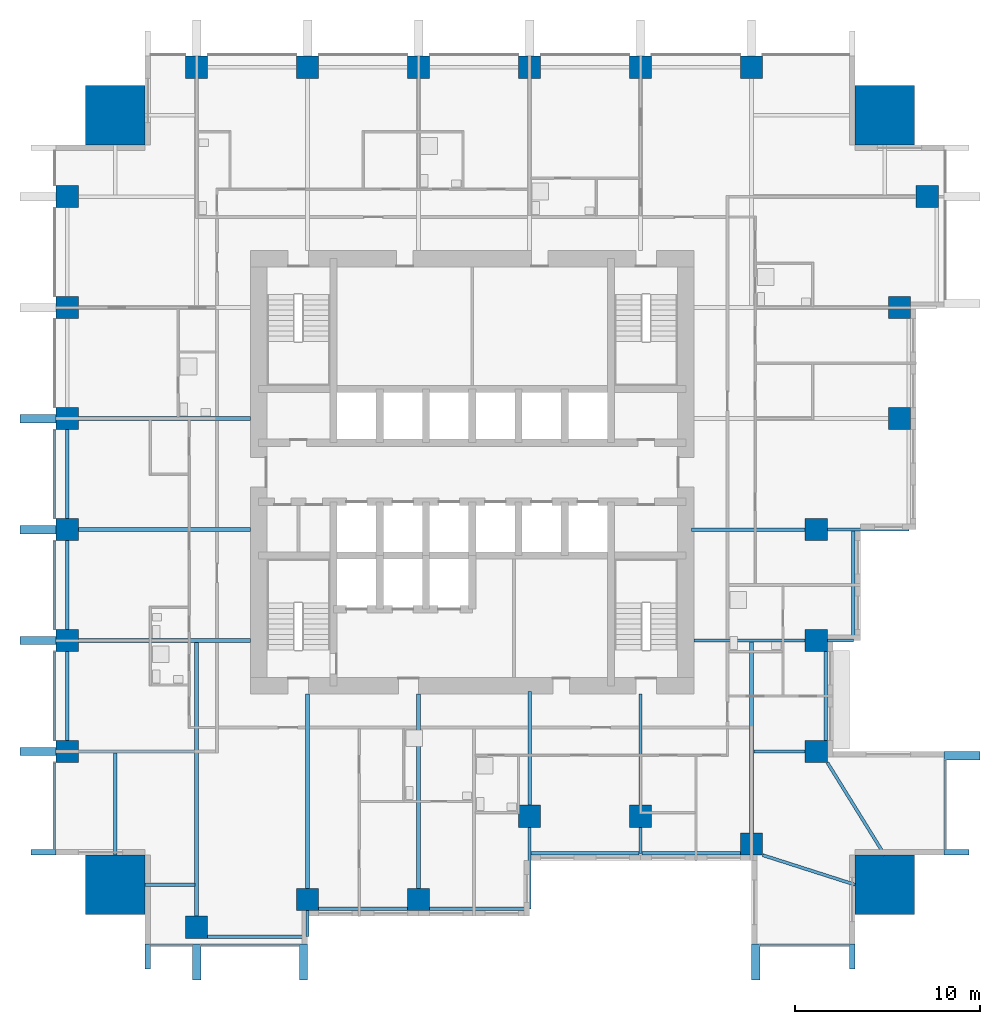
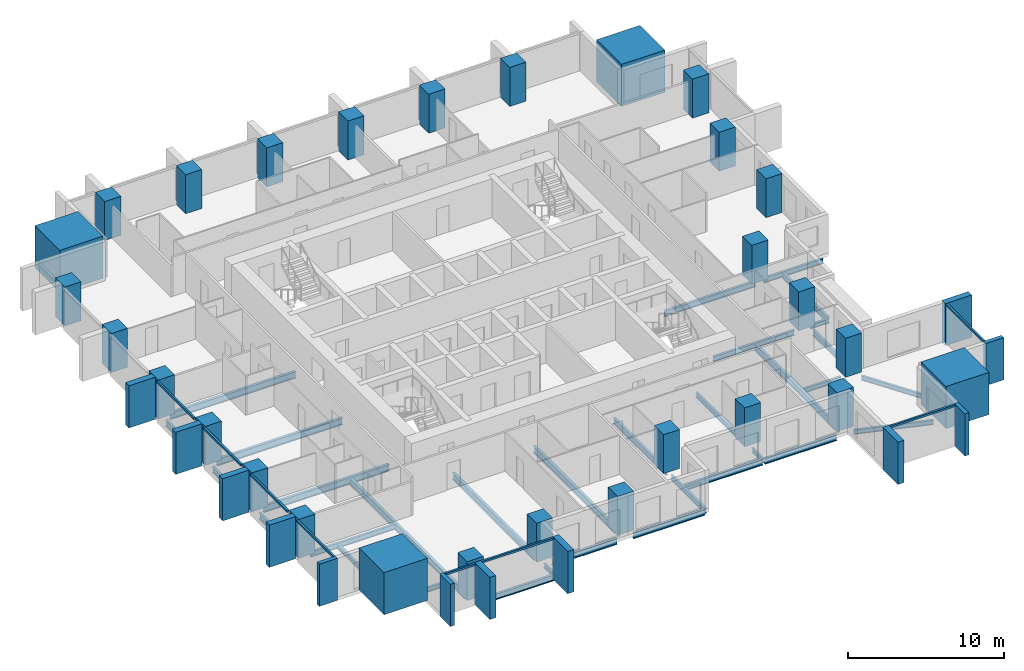
# One storey, part 1 of 10: 32 beams, 28 columns, 20 members, 4 elements without a shape of their own.
"""IFC4 building model written with IfcOpenShell, lengths in metres."""

from ifc_helpers import new_model, si_unit, direction, frame, origin, origin_2d, place, context, subcontext, project, spatial, rectangle, i_section, extrude, material, material_profile, profile_set, type_object, element, aggregate, save


model = new_model("IFC4")

# Units and contexts
model_context = context("Model", 3, precision=1e-05, world=origin(), true_north=direction((0.0, 1.0)))
body_context = subcontext(model_context, "Body", "Model", "MODEL_VIEW")
ifc_project = project(units=[si_unit("LENGTHUNIT", "METRE"), si_unit("AREAUNIT", "SQUARE_METRE"), si_unit("VOLUMEUNIT", "CUBIC_METRE"), si_unit("PLANEANGLEUNIT", "RADIAN"), si_unit("MASSUNIT", "GRAM", prefix="KILO")], contexts=[model_context])

# Site, building, storey
site_placement = place(None, origin())
site = spatial("IfcSite", under=ifc_project, at=site_placement, CompositionType="ELEMENT")
building_placement = place(site_placement, origin())
building = spatial("IfcBuilding", under=site, at=building_placement, Name="Amberfall Residences", CompositionType="ELEMENT")
storey_placement = place(building_placement, frame((0.0, 0.0, 36.699951171875)))
storey = spatial("IfcBuildingStorey", under=building, at=storey_placement, Name="L09", CompositionType="ELEMENT", Elevation=36.699951171875)

# Columns
ifc_material_1 = material(Name="Concrete C80", Category="concrete")
ifc_material_profile_1 = material_profile(ifc_material_1, rectangle(XDim=1.199951171875, YDim=1.199951171875, at=origin_2d()), Name="Column 1200 x 1200 C80")
ifc_profile_set_1 = profile_set([ifc_material_profile_1], Name="Concrete C80")
column_type_1 = type_object("IfcColumnType", Name="Column 1200 x 1200 C80", PredefinedType="COLUMN", material=ifc_profile_set_1)
for number, where, z_axis, x_axis, name in (
    (1, (59.60009765625, 20.89990234375, 0.0), (0.0, 0.0, 1.0), (1.0, 0.0, 0.0), "Column C1 L09 S1"),
    (2, (65.60009765625, 22.39990234375, 0.0), (0.0, 0.0, 1.0), (1.0, 0.0, 0.0), "Column C1 L09 S2"),
    (3, (71.60009765625, 22.39990234375, 0.0), (0.0, 0.0, 1.0), (1.0, 0.0, 0.0), "Column C1 L09 S3"),
    (4, (77.60009765625, 26.89990234375, 0.0), (0.0, 0.0, 1.0), (1.0, 0.0, 0.0), "Column C1 L09 S4"),
    (5, (83.60009765625, 26.89990234375, 0.0), (0.0, 0.0, 1.0), (1.0, 0.0, 0.0), "Column C1 L09 S5"),
    (6, (89.60009765625, 25.39990234375, 0.0), (0.0, 0.0, 1.0), (1.0, 0.0, 0.0), "Column C1 L09 S6"),
    (7, (93.10009765625, 30.39990234375, 0.0), (0.0, 0.0, 1.0), (1.0, 0.0, 0.0), "Column C1 L09 E1"),
    (8, (93.10009765625, 36.39990234375, 0.0), (0.0, 0.0, 1.0), (1.0, 0.0, 0.0), "Column C1 L09 E2"),
    (9, (93.10009765625, 42.39990234375, 0.0), (0.0, 0.0, 1.0), (1.0, 0.0, 0.0), "Column C1 L09 E3"),
    (10, (97.60009765625, 48.39990234375, 0.0), (0.0, 0.0, 1.0), (1.0, 0.0, 0.0), "Column C1 L09 E4"),
    (11, (97.60009765625, 54.39990234375, 0.0), (0.0, 0.0, 1.0), (1.0, 0.0, 0.0), "Column C1 L09 E5"),
    (12, (99.10009765625, 60.39990234375, 0.0), (0.0, 0.0, 1.0), (1.0, 0.0, 0.0), "Column C1 L09 E6"),
    (13, (59.60009765625, 67.39990234375, 0.0), (0.0, 0.0, 1.0), (1.0, 0.0, 0.0), "Column C1 L09 N1"),
    (14, (65.60009765625, 67.39990234375, 0.0), (0.0, 0.0, 1.0), (1.0, 0.0, 0.0), "Column C1 L09 N2"),
    (15, (71.60009765625, 67.39990234375, 0.0), (0.0, 0.0, 1.0), (1.0, 0.0, 0.0), "Column C1 L09 N3"),
    (16, (77.60009765625, 67.39990234375, 0.0), (0.0, 0.0, 1.0), (1.0, 0.0, 0.0), "Column C1 L09 N4"),
    (17, (83.60009765625, 67.39990234375, 0.0), (0.0, 0.0, 1.0), (1.0, 0.0, 0.0), "Column C1 L09 N5"),
    (18, (89.60009765625, 67.39990234375, 0.0), (0.0, 0.0, 1.0), (1.0, 0.0, 0.0), "Column C1 L09 N6"),
    (19, (52.60009765625, 30.39990234375, 0.0), (0.0, 0.0, 1.0), (1.0, 0.0, 0.0), "Column C1 L09 W1"),
    (20, (52.60009765625, 36.39990234375, 0.0), (0.0, 0.0, 1.0), (1.0, 0.0, 0.0), "Column C1 L09 W2"),
    (21, (52.60009765625, 42.39990234375, 0.0), (0.0, 0.0, 1.0), (1.0, 0.0, 0.0), "Column C1 L09 W3"),
    (22, (52.60009765625, 48.39990234375, 0.0), (0.0, 0.0, 1.0), (1.0, 0.0, 0.0), "Column C1 L09 W4"),
    (23, (52.60009765625, 54.39990234375, 0.0), (0.0, 0.0, 1.0), (1.0, 0.0, 0.0), "Column C1 L09 W5"),
    (24, (52.60009765625, 60.39990234375, 0.0), (0.0, 0.0, 1.0), (1.0, 0.0, 0.0), "Column C1 L09 W6"),
):
    element("IfcColumn", number, at=place(storey_placement, frame(where, z_axis=z_axis, x_axis=x_axis)), inside=storey, type_object=column_type_1, Name=name, PredefinedType="COLUMN", context=body_context, shape_type="SweptSolid", body=[
        extrude(rectangle(XDim=1.199951171875, YDim=1.199951171875, at=origin_2d()), origin(), (0.0, 0.0, 1.0), 3.050048828125),
    ])
ifc_material_profile_2 = material_profile(ifc_material_1, rectangle(XDim=3.199951171875, YDim=3.199951171875, at=origin_2d()), Name="Mega column 3200 x 3200 C80")
ifc_profile_set_2 = profile_set([ifc_material_profile_2], Name="Concrete C80")
column_type_2 = type_object("IfcColumnType", Name="Mega column 3200 x 3200 C80", PredefinedType="COLUMN", material=ifc_profile_set_2)
for number, where, z_axis, x_axis, name in (
    (25, (55.199951171875, 23.199951171875, 0.0), (0.0, 0.0, 1.0), (1.0, 0.0, 0.0), "Mega column MC1 L09 SW"),
    (26, (96.800048828125, 23.199951171875, 0.0), (0.0, 0.0, 1.0), (1.0, 0.0, 0.0), "Mega column MC1 L09 SE"),
    (27, (96.800048828125, 64.800048828125, 0.0), (0.0, 0.0, 1.0), (1.0, 0.0, 0.0), "Mega column MC1 L09 NE"),
    (28, (55.199951171875, 64.800048828125, 0.0), (0.0, 0.0, 1.0), (1.0, 0.0, 0.0), "Mega column MC1 L09 NW"),
):
    element("IfcColumn", number, at=place(storey_placement, frame(where, z_axis=z_axis, x_axis=x_axis)), inside=storey, type_object=column_type_2, Name=name, PredefinedType="COLUMN", context=body_context, shape_type="SweptSolid", body=[
        extrude(rectangle(XDim=3.199951171875, YDim=3.199951171875, at=origin_2d()), origin(), (0.0, 0.0, 1.0), 3.300048828125),
    ])

# Curtain wall, members
ifc_material_2 = material(Name="Bronze anodised aluminium and glass", Category="aluminium")
curtain_wall_type = type_object("IfcCurtainWallType", Name="Curtain wall CW1 tower unit", PredefinedType="USERDEFINED", material=ifc_material_2)
curtain_wall_1_placement = place(storey_placement, origin())
curtain_wall_1 = element("IfcCurtainWall", 29, at=curtain_wall_1_placement, inside=storey, type_object=curtain_wall_type, Name="Curtain wall L09 S S1", ObjectType="UNITISED CURTAIN WALL", PredefinedType="USERDEFINED")
ifc_material_3 = material(Name="Bronze anodised aluminium", Category="aluminium")
ifc_material_profile_3 = material_profile(ifc_material_3, rectangle(XDim=0.14990234375, YDim=0.14990234375, at=origin_2d()), Name="CW1 transom 150 x 150 bronze")
ifc_profile_set_3 = profile_set([ifc_material_profile_3], Name="Bronze anodised aluminium")
member_type_1 = type_object("IfcMemberType", Name="CW1 transom 150 x 150 bronze", PredefinedType="USERDEFINED", material=ifc_profile_set_3)
member_1_placement = place(storey_placement, frame((57.10009765625, 19.925048828125, 2.97509765625), z_axis=(1.0, 0.0, 0.0), x_axis=(0.0, 1.0, 0.0)))
member_1 = element("IfcMember", 30, at=member_1_placement, type_object=member_type_1, Name="CW1 transom 1.1", ObjectType="TRANSOM", PredefinedType="USERDEFINED", context=body_context, shape_type="SweptSolid", body=[
    extrude(rectangle(XDim=0.14990234375, YDim=0.14990234375, at=origin_2d()), origin(), (0.0, 0.0, 1.0), 2.27490234375),
])
member_2_placement = place(storey_placement, frame((59.824951171875, 19.925048828125, 2.97509765625), z_axis=(1.0, 0.0, 0.0), x_axis=(0.0, 1.0, 0.0)))
member_2 = element("IfcMember", 31, at=member_2_placement, type_object=member_type_1, Name="CW1 transom 2.1", ObjectType="TRANSOM", PredefinedType="USERDEFINED", context=body_context, shape_type="SweptSolid", body=[
    extrude(rectangle(XDim=0.14990234375, YDim=0.14990234375, at=origin_2d()), origin(), (0.0, 0.0, 1.0), 5.324951171875),
])

# Curtain wall, member
curtain_wall_2_placement = place(storey_placement, origin())
curtain_wall_2 = element("IfcCurtainWall", 32, at=curtain_wall_2_placement, inside=storey, type_object=curtain_wall_type, Name="Curtain wall L09 S S9", ObjectType="UNITISED CURTAIN WALL", PredefinedType="USERDEFINED")
member_3_placement = place(storey_placement, frame((90.050048828125, 19.925048828125, 2.97509765625), z_axis=(1.0, 0.0, 0.0), x_axis=(0.0, 1.0, 0.0)))
member_3 = element("IfcMember", 33, at=member_3_placement, type_object=member_type_1, Name="CW1 transom 1.1", ObjectType="TRANSOM", PredefinedType="USERDEFINED", context=body_context, shape_type="SweptSolid", body=[
    extrude(rectangle(XDim=0.14990234375, YDim=0.14990234375, at=origin_2d()), origin(), (0.0, 0.0, 1.0), 4.849853515625),
])

curtain_wall_3_placement = place(storey_placement, origin())
curtain_wall_3 = element("IfcCurtainWall", 34, at=curtain_wall_3_placement, inside=storey, type_object=curtain_wall_type, Name="Curtain wall L09 E E1", ObjectType="UNITISED CURTAIN WALL", PredefinedType="USERDEFINED")
member_4_placement = place(storey_placement, frame((100.074951171875, 25.10009765625, 2.97509765625), z_axis=(0.0, 1.0, 0.0), x_axis=(-1.0, 0.0, 0.0)))
member_4 = element("IfcMember", 35, at=member_4_placement, type_object=member_type_1, Name="CW1 transom 1.1", ObjectType="TRANSOM", PredefinedType="USERDEFINED", context=body_context, shape_type="SweptSolid", body=[
    extrude(rectangle(XDim=0.14990234375, YDim=0.14990234375, at=origin_2d()), origin(), (0.0, 0.0, 1.0), 4.849853515625),
])

# Curtain wall, members
curtain_wall_4_placement = place(storey_placement, origin())
curtain_wall_4 = element("IfcCurtainWall", 36, at=curtain_wall_4_placement, inside=storey, type_object=curtain_wall_type, Name="Curtain wall L09 W W1", ObjectType="UNITISED CURTAIN WALL", PredefinedType="USERDEFINED")
member_5_placement = place(storey_placement, frame((51.925048828125, 47.794921875, 2.97509765625), z_axis=(0.0, -1.0, 0.0), x_axis=(1.0, 0.0, 0.0)))
member_5 = element("IfcMember", 37, at=member_5_placement, type_object=member_type_1, Name="CW1 transom 4.1", ObjectType="TRANSOM", PredefinedType="USERDEFINED", context=body_context, shape_type="SweptSolid", body=[
    extrude(rectangle(XDim=0.14990234375, YDim=0.14990234375, at=origin_2d()), origin(), (0.0, 0.0, 1.0), 4.7900390625),
])
member_6_placement = place(storey_placement, frame((51.925048828125, 41.794921875, 2.97509765625), z_axis=(0.0, -1.0, 0.0), x_axis=(1.0, 0.0, 0.0)))
member_6 = element("IfcMember", 38, at=member_6_placement, type_object=member_type_1, Name="CW1 transom 5.1", ObjectType="TRANSOM", PredefinedType="USERDEFINED", context=body_context, shape_type="SweptSolid", body=[
    extrude(rectangle(XDim=0.14990234375, YDim=0.14990234375, at=origin_2d()), origin(), (0.0, 0.0, 1.0), 4.7900390625),
])
member_7_placement = place(storey_placement, frame((51.925048828125, 35.794921875, 2.97509765625), z_axis=(0.0, -1.0, 0.0), x_axis=(1.0, 0.0, 0.0)))
member_7 = element("IfcMember", 39, at=member_7_placement, type_object=member_type_1, Name="CW1 transom 6.1", ObjectType="TRANSOM", PredefinedType="USERDEFINED", context=body_context, shape_type="SweptSolid", body=[
    extrude(rectangle(XDim=0.14990234375, YDim=0.14990234375, at=origin_2d()), origin(), (0.0, 0.0, 1.0), 4.7900390625),
])
member_8_placement = place(storey_placement, frame((51.925048828125, 29.794921875, 2.97509765625), z_axis=(0.0, -1.0, 0.0), x_axis=(1.0, 0.0, 0.0)))
member_8 = element("IfcMember", 40, at=member_8_placement, type_object=member_type_1, Name="CW1 transom 7.1", ObjectType="TRANSOM", PredefinedType="USERDEFINED", context=body_context, shape_type="SweptSolid", body=[
    extrude(rectangle(XDim=0.14990234375, YDim=0.14990234375, at=origin_2d()), origin(), (0.0, 0.0, 1.0), 4.69482421875),
])

# Beams
ifc_material_4 = material(Name="Steel S355", Category="steel")
ifc_material_profile_4 = material_profile(ifc_material_4, i_section(OverallWidth=0.171142578125, OverallDepth=0.351318359375, WebThickness=0.007080078125, FlangeThickness=0.009765625, FilletRadius=0.01025390625, at=origin_2d()), Name="UB 356x171x45")
ifc_profile_set_4 = profile_set([ifc_material_profile_4], Name="Steel S355")
beam_type_1 = type_object("IfcBeamType", Name="Cantilever girder UB 356x171x45", PredefinedType="BEAM", material=ifc_profile_set_4)
for number, where, z_axis, x_axis, name in (
    (41, (65.60009765625, 21.800048828125, -0.425537109375), (0.0, -1.0, 0.0), (1.0, 0.0, 0.0), "Cantilever girder B8 L09 06"),
    (42, (83.60009765625, 26.300048828125, -0.425537109375), (0.0, -1.0, 0.0), (1.0, 0.0, 0.0), "Cantilever girder B8 L09 08"),
    (43, (93.699951171875, 36.39990234375, -0.425537109375), (1.0, 0.0, 0.0), (0.0, 1.0, 0.0), "Cantilever girder B8 L09 20"),
):
    element("IfcBeam", number, at=place(storey_placement, frame(where, z_axis=z_axis, x_axis=x_axis)), inside=storey, type_object=beam_type_1, Name=name, PredefinedType="BEAM", context=body_context, shape_type="SweptSolid", body=[
        extrude(i_section(OverallWidth=0.171142578125, OverallDepth=0.351318359375, WebThickness=0.007080078125, FlangeThickness=0.009765625, FilletRadius=0.01025390625, at=origin_2d()), origin(), (0.0, 0.0, 1.0), 1.400146484375),
    ])
ifc_material_profile_5 = material_profile(ifc_material_4, i_section(OverallWidth=0.177734375, OverallDepth=0.402587890625, WebThickness=0.0078125, FlangeThickness=0.010986328125, FilletRadius=0.01025390625, at=origin_2d()), Name="UB 406x178x54")
ifc_profile_set_5 = profile_set([ifc_material_profile_5], Name="Steel S355")
beam_type_2 = type_object("IfcBeamType", Name="Cantilever girder UB 406x178x54", PredefinedType="BEAM", material=ifc_profile_set_5)
for number, where, z_axis, x_axis, name in (
    (44, (77.60009765625, 26.300048828125, -0.451171875), (0.0, -1.0, 0.0), (1.0, 0.0, 0.0), "Cantilever girder B9 L09 07"),
    (45, (93.699951171875, 42.39990234375, -0.451171875), (1.0, 0.0, 0.0), (0.0, 1.0, 0.0), "Cantilever girder B9 L09 21"),
):
    element("IfcBeam", number, at=place(storey_placement, frame(where, z_axis=z_axis, x_axis=x_axis)), inside=storey, type_object=beam_type_2, Name=name, PredefinedType="BEAM", context=body_context, shape_type="SweptSolid", body=[
        extrude(i_section(OverallWidth=0.177734375, OverallDepth=0.402587890625, WebThickness=0.0078125, FlangeThickness=0.010986328125, FilletRadius=0.01025390625, at=origin_2d()), origin(), (0.0, 0.0, 1.0), 4.400146484375),
    ])

# Member
ifc_material_profile_6 = material_profile(ifc_material_3, rectangle(XDim=1.35009765625, YDim=0.300048828125, at=origin_2d()), Name="Corner fin 300 x 1350 bronze")
ifc_profile_set_6 = profile_set([ifc_material_profile_6], Name="Bronze anodised aluminium")
member_type_2 = type_object("IfcMemberType", Name="Corner fin 300 x 1350 bronze", PredefinedType="MULLION", material=ifc_profile_set_6)
member_9_placement = place(storey_placement, frame((56.949951171875, 19.324951171875, -0.25), z_axis=(0.0, 0.0, 1.0), x_axis=(0.0, 1.0, 0.0)))
member_9 = element("IfcMember", 46, at=member_9_placement, type_object=member_type_2, Name="CW FIN 1", PredefinedType="MULLION", context=body_context, shape_type="SweptSolid", body=[
    extrude(rectangle(XDim=1.35009765625, YDim=0.300048828125, at=origin_2d()), origin(), (0.0, 0.0, 1.0), 3.300048828125),
])

member_10_placement = place(storey_placement, frame((95.050048828125, 19.324951171875, -0.25), z_axis=(0.0, 0.0, 1.0), x_axis=(0.0, 1.0, 0.0)))
member_10 = element("IfcMember", 47, at=member_10_placement, type_object=member_type_2, Name="CW FIN 2", PredefinedType="MULLION", context=body_context, shape_type="SweptSolid", body=[
    extrude(rectangle(XDim=1.35009765625, YDim=0.300048828125, at=origin_2d()), origin(), (0.0, 0.0, 1.0), 3.300048828125),
])

member_11_placement = place(storey_placement, frame((100.675048828125, 24.949951171875, -0.25), z_axis=(0.0, 0.0, 1.0), x_axis=(-1.0, 0.0, 0.0)))
member_11 = element("IfcMember", 48, at=member_11_placement, type_object=member_type_2, Name="CW FIN 1", PredefinedType="MULLION", context=body_context, shape_type="SweptSolid", body=[
    extrude(rectangle(XDim=1.35009765625, YDim=0.300048828125, at=origin_2d()), origin(), (0.0, 0.0, 1.0), 3.300048828125),
])

member_12_placement = place(storey_placement, frame((51.324951171875, 24.949951171875, -0.25), z_axis=(0.0, 0.0, 1.0), x_axis=(1.0, 0.0, 0.0)))
member_12 = element("IfcMember", 49, at=member_12_placement, type_object=member_type_2, Name="CW FIN 8", PredefinedType="MULLION", context=body_context, shape_type="SweptSolid", body=[
    extrude(rectangle(XDim=1.35009765625, YDim=0.300048828125, at=origin_2d()), origin(), (0.0, 0.0, 1.0), 3.300048828125),
])

# Beams
ifc_material_profile_7 = material_profile(ifc_material_4, i_section(OverallWidth=0.18994140625, OverallDepth=0.453369140625, WebThickness=0.008544921875, FlangeThickness=0.0126953125, FilletRadius=0.01025390625, at=origin_2d()), Name="UB 457x191x67")
ifc_profile_set_7 = profile_set([ifc_material_profile_7], Name="Steel S355")
beam_type_3 = type_object("IfcBeamType", Name="Edge beam UB 457x191x67", PredefinedType="SPANDREL", material=ifc_profile_set_7)
beam_1_placement = place(storey_placement, frame((60.199951171875, 20.39990234375, -0.4765625), z_axis=(1.0, 0.0, 0.0), x_axis=(0.0, 1.0, 0.0)))
element("IfcBeam", 50, at=beam_1_placement, inside=storey, type_object=beam_type_3, Name="Edge beam B1 L09 01", PredefinedType="SPANDREL", context=body_context, shape_type="SweptSolid", body=[
    extrude(i_section(OverallWidth=0.18994140625, OverallDepth=0.453369140625, WebThickness=0.008544921875, FlangeThickness=0.0126953125, FilletRadius=0.01025390625, at=origin_2d()), origin(), (0.0, 0.0, 1.0), 5.320068359375),
])
beam_2_placement = place(storey_placement, frame((66.199951171875, 21.89990234375, -0.4765625), z_axis=(1.0, 0.0, 0.0), x_axis=(0.0, 1.0, 0.0)))
element("IfcBeam", 51, at=beam_2_placement, inside=storey, type_object=beam_type_3, Name="Edge beam B1 L09 02", PredefinedType="SPANDREL", context=body_context, shape_type="SweptSolid", body=[
    extrude(i_section(OverallWidth=0.18994140625, OverallDepth=0.453369140625, WebThickness=0.008544921875, FlangeThickness=0.0126953125, FilletRadius=0.01025390625, at=origin_2d()), origin(), (0.0, 0.0, 1.0), 4.800048828125),
])
beam_3_placement = place(storey_placement, frame((72.199951171875, 21.89990234375, -0.4765625), z_axis=(1.0, 0.0, 0.0), x_axis=(0.0, 1.0, 0.0)))
element("IfcBeam", 52, at=beam_3_placement, inside=storey, type_object=beam_type_3, Name="Edge beam B1 L09 03", PredefinedType="SPANDREL", context=body_context, shape_type="SweptSolid", body=[
    extrude(i_section(OverallWidth=0.18994140625, OverallDepth=0.453369140625, WebThickness=0.008544921875, FlangeThickness=0.0126953125, FilletRadius=0.01025390625, at=origin_2d()), origin(), (0.0, 0.0, 1.0), 5.320068359375),
])
beam_4_placement = place(storey_placement, frame((77.679931640625, 24.89990234375, -0.4765625), z_axis=(1.0, 0.0, 0.0), x_axis=(0.0, 1.0, 0.0)))
element("IfcBeam", 53, at=beam_4_placement, inside=storey, type_object=beam_type_3, Name="Edge beam B1 L09 04", PredefinedType="SPANDREL", context=body_context, shape_type="SweptSolid", body=[
    extrude(i_section(OverallWidth=0.18994140625, OverallDepth=0.453369140625, WebThickness=0.008544921875, FlangeThickness=0.0126953125, FilletRadius=0.01025390625, at=origin_2d()), origin(), (0.0, 0.0, 1.0), 5.840087890625),
])
beam_5_placement = place(storey_placement, frame((83.679931640625, 24.89990234375, -0.4765625), z_axis=(1.0, 0.0, 0.0), x_axis=(0.0, 1.0, 0.0)))
element("IfcBeam", 54, at=beam_5_placement, inside=storey, type_object=beam_type_3, Name="Edge beam B1 L09 05", PredefinedType="SPANDREL", context=body_context, shape_type="SweptSolid", body=[
    extrude(i_section(OverallWidth=0.18994140625, OverallDepth=0.453369140625, WebThickness=0.008544921875, FlangeThickness=0.0126953125, FilletRadius=0.01025390625, at=origin_2d()), origin(), (0.0, 0.0, 1.0), 5.320068359375),
])
beam_6_placement = place(storey_placement, frame((93.60009765625, 31.0, -0.4765625), z_axis=(0.0, 1.0, 0.0), x_axis=(-1.0, 0.0, 0.0)))
element("IfcBeam", 55, at=beam_6_placement, inside=storey, type_object=beam_type_3, Name="Edge beam B1 L09 15", PredefinedType="SPANDREL", context=body_context, shape_type="SweptSolid", body=[
    extrude(i_section(OverallWidth=0.18994140625, OverallDepth=0.453369140625, WebThickness=0.008544921875, FlangeThickness=0.0126953125, FilletRadius=0.01025390625, at=origin_2d()), origin(), (0.0, 0.0, 1.0), 4.800048828125),
])
beam_7_placement = place(storey_placement, frame((95.10009765625, 36.47998046875, -0.4765625), z_axis=(0.0, 1.0, 0.0), x_axis=(-1.0, 0.0, 0.0)))
element("IfcBeam", 56, at=beam_7_placement, inside=storey, type_object=beam_type_3, Name="Edge beam B1 L09 16", PredefinedType="SPANDREL", context=body_context, shape_type="SweptSolid", body=[
    extrude(i_section(OverallWidth=0.18994140625, OverallDepth=0.453369140625, WebThickness=0.008544921875, FlangeThickness=0.0126953125, FilletRadius=0.01025390625, at=origin_2d()), origin(), (0.0, 0.0, 1.0), 5.840087890625),
])
for number, where, z_axis, x_axis, name in (
    (57, (52.60009765625, 31.0, -0.4765625), (0.0, 1.0, 0.0), (-1.0, 0.0, 0.0), "Edge beam B1 L09 40"),
    (58, (52.60009765625, 37.0, -0.4765625), (0.0, 1.0, 0.0), (-1.0, 0.0, 0.0), "Edge beam B1 L09 41"),
    (59, (52.60009765625, 43.0, -0.4765625), (0.0, 1.0, 0.0), (-1.0, 0.0, 0.0), "Edge beam B1 L09 42"),
):
    element("IfcBeam", number, at=place(storey_placement, frame(where, z_axis=z_axis, x_axis=x_axis)), inside=storey, type_object=beam_type_3, Name=name, PredefinedType="SPANDREL", context=body_context, shape_type="SweptSolid", body=[
        extrude(i_section(OverallWidth=0.18994140625, OverallDepth=0.453369140625, WebThickness=0.008544921875, FlangeThickness=0.0126953125, FilletRadius=0.01025390625, at=origin_2d()), origin(), (0.0, 0.0, 1.0), 4.800048828125),
    ])

# Member
ifc_material_profile_8 = material_profile(ifc_material_3, rectangle(XDim=1.949951171875, YDim=0.449951171875, at=origin_2d()), Name="Fin 450 x 1950 bronze")
ifc_profile_set_8 = profile_set([ifc_material_profile_8], Name="Bronze anodised aluminium")
member_type_3 = type_object("IfcMemberType", Name="Fin 450 x 1950 bronze", PredefinedType="MULLION", material=ifc_profile_set_8)
member_13_placement = place(storey_placement, frame((59.60009765625, 19.02490234375, -0.25), z_axis=(0.0, 0.0, 1.0), x_axis=(0.0, 1.0, 0.0)))
member_13 = element("IfcMember", 60, at=member_13_placement, type_object=member_type_3, Name="CW FIN 2", PredefinedType="MULLION", context=body_context, shape_type="SweptSolid", body=[
    extrude(rectangle(XDim=1.949951171875, YDim=0.449951171875, at=origin_2d()), origin(), (0.0, 0.0, 1.0), 3.300048828125),
])

member_14_placement = place(storey_placement, frame((65.375, 19.02490234375, -0.25), z_axis=(0.0, 0.0, 1.0), x_axis=(0.0, 1.0, 0.0)))
member_14 = element("IfcMember", 61, at=member_14_placement, type_object=member_type_3, Name="CW FIN 3", PredefinedType="MULLION", context=body_context, shape_type="SweptSolid", body=[
    extrude(rectangle(XDim=1.949951171875, YDim=0.449951171875, at=origin_2d()), origin(), (0.0, 0.0, 1.0), 3.300048828125),
])

aggregate(curtain_wall_1, [member_9, member_13, member_14, member_1, member_2])

member_15_placement = place(storey_placement, frame((89.824951171875, 19.02490234375, -0.25), z_axis=(0.0, 0.0, 1.0), x_axis=(0.0, 1.0, 0.0)))
member_15 = element("IfcMember", 62, at=member_15_placement, type_object=member_type_3, Name="CW FIN 1", PredefinedType="MULLION", context=body_context, shape_type="SweptSolid", body=[
    extrude(rectangle(XDim=1.949951171875, YDim=0.449951171875, at=origin_2d()), origin(), (0.0, 0.0, 1.0), 3.300048828125),
])

aggregate(curtain_wall_2, [member_15, member_10, member_3])

member_16_placement = place(storey_placement, frame((100.97509765625, 30.175048828125, -0.25), z_axis=(0.0, 0.0, 1.0), x_axis=(-1.0, 0.0, 0.0)))
member_16 = element("IfcMember", 63, at=member_16_placement, type_object=member_type_3, Name="CW FIN 2", PredefinedType="MULLION", context=body_context, shape_type="SweptSolid", body=[
    extrude(rectangle(XDim=1.949951171875, YDim=0.449951171875, at=origin_2d()), origin(), (0.0, 0.0, 1.0), 3.300048828125),
])

aggregate(curtain_wall_3, [member_11, member_16, member_4])

member_17_placement = place(storey_placement, frame((51.02490234375, 48.39990234375, -0.25), z_axis=(0.0, 0.0, 1.0), x_axis=(1.0, 0.0, 0.0)))
member_17 = element("IfcMember", 64, at=member_17_placement, type_object=member_type_3, Name="CW FIN 4", PredefinedType="MULLION", context=body_context, shape_type="SweptSolid", body=[
    extrude(rectangle(XDim=1.949951171875, YDim=0.449951171875, at=origin_2d()), origin(), (0.0, 0.0, 1.0), 3.300048828125),
])

member_18_placement = place(storey_placement, frame((51.02490234375, 42.39990234375, -0.25), z_axis=(0.0, 0.0, 1.0), x_axis=(1.0, 0.0, 0.0)))
member_18 = element("IfcMember", 65, at=member_18_placement, type_object=member_type_3, Name="CW FIN 5", PredefinedType="MULLION", context=body_context, shape_type="SweptSolid", body=[
    extrude(rectangle(XDim=1.949951171875, YDim=0.449951171875, at=origin_2d()), origin(), (0.0, 0.0, 1.0), 3.300048828125),
])

member_19_placement = place(storey_placement, frame((51.02490234375, 36.39990234375, -0.25), z_axis=(0.0, 0.0, 1.0), x_axis=(1.0, 0.0, 0.0)))
member_19 = element("IfcMember", 66, at=member_19_placement, type_object=member_type_3, Name="CW FIN 6", PredefinedType="MULLION", context=body_context, shape_type="SweptSolid", body=[
    extrude(rectangle(XDim=1.949951171875, YDim=0.449951171875, at=origin_2d()), origin(), (0.0, 0.0, 1.0), 3.300048828125),
])

member_20_placement = place(storey_placement, frame((51.02490234375, 30.39990234375, -0.25), z_axis=(0.0, 0.0, 1.0), x_axis=(1.0, 0.0, 0.0)))
member_20 = element("IfcMember", 67, at=member_20_placement, type_object=member_type_3, Name="CW FIN 7", PredefinedType="MULLION", context=body_context, shape_type="SweptSolid", body=[
    extrude(rectangle(XDim=1.949951171875, YDim=0.449951171875, at=origin_2d()), origin(), (0.0, 0.0, 1.0), 3.300048828125),
])

aggregate(curtain_wall_4, [member_17, member_18, member_19, member_20, member_12, member_5, member_6, member_7, member_8])

# Beams
ifc_material_profile_9 = material_profile(ifc_material_4, i_section(OverallWidth=0.171142578125, OverallDepth=0.351318359375, WebThickness=0.007080078125, FlangeThickness=0.009765625, FilletRadius=0.01025390625, at=origin_2d()), Name="UB 356x171x45")
ifc_profile_set_9 = profile_set([ifc_material_profile_9], Name="Steel S355")
beam_type_4 = type_object("IfcBeamType", Name="Floor girder UB 356x171x45", PredefinedType="BEAM", material=ifc_profile_set_9)
beam_8_placement = place(storey_placement, frame((92.5, 30.39990234375, -0.425537109375), z_axis=(-1.0, 0.0, 0.0), x_axis=(0.0, -1.0, 0.0)))
element("IfcBeam", 68, at=beam_8_placement, inside=storey, type_object=beam_type_4, Name="Floor girder B11 L09 23", PredefinedType="BEAM", context=body_context, shape_type="SweptSolid", body=[
    extrude(i_section(OverallWidth=0.171142578125, OverallDepth=0.351318359375, WebThickness=0.007080078125, FlangeThickness=0.009765625, FilletRadius=0.01025390625, at=origin_2d()), origin(), (0.0, 0.0, 1.0), 2.780029296875),
])
ifc_material_profile_10 = material_profile(ifc_material_4, i_section(OverallWidth=0.177734375, OverallDepth=0.402587890625, WebThickness=0.0078125, FlangeThickness=0.010986328125, FilletRadius=0.01025390625, at=origin_2d()), Name="UB 406x178x54")
ifc_profile_set_10 = profile_set([ifc_material_profile_10], Name="Steel S355")
beam_type_5 = type_object("IfcBeamType", Name="Floor girder UB 406x178x54", PredefinedType="BEAM", material=ifc_profile_set_10)
for number, where, z_axis, x_axis, name in (
    (69, (83.60009765625, 27.5, -0.451171875), (0.0, 1.0, 0.0), (-1.0, 0.0, 0.0), "Floor girder B4 L09 13"),
    (70, (92.5, 36.39990234375, -0.451171875), (-1.0, 0.0, 0.0), (0.0, -1.0, 0.0), "Floor girder B4 L09 24"),
):
    element("IfcBeam", number, at=place(storey_placement, frame(where, z_axis=z_axis, x_axis=x_axis)), inside=storey, type_object=beam_type_5, Name=name, PredefinedType="BEAM", context=body_context, shape_type="SweptSolid", body=[
        extrude(i_section(OverallWidth=0.177734375, OverallDepth=0.402587890625, WebThickness=0.0078125, FlangeThickness=0.010986328125, FilletRadius=0.01025390625, at=origin_2d()), origin(), (0.0, 0.0, 1.0), 6.0),
    ])
beam_9_placement = place(storey_placement, frame((53.199951171875, 30.39990234375, -0.451171875), z_axis=(1.0, 0.0, 0.0), x_axis=(0.0, 1.0, 0.0)))
element("IfcBeam", 71, at=beam_9_placement, inside=storey, type_object=beam_type_5, Name="Floor girder B4 L09 45", PredefinedType="BEAM", context=body_context, shape_type="SweptSolid", body=[
    extrude(i_section(OverallWidth=0.177734375, OverallDepth=0.402587890625, WebThickness=0.0078125, FlangeThickness=0.010986328125, FilletRadius=0.01025390625, at=origin_2d()), origin(), (0.0, 0.0, 1.0), 6.280029296875),
])
ifc_material_profile_11 = material_profile(ifc_material_4, i_section(OverallWidth=0.19140625, OverallDepth=0.4599609375, WebThickness=0.010009765625, FlangeThickness=0.01611328125, FilletRadius=0.01025390625, at=origin_2d()), Name="UB 457x191x82")
ifc_profile_set_11 = profile_set([ifc_material_profile_11], Name="Steel S355")
beam_type_6 = type_object("IfcBeamType", Name="Floor girder UB 457x191x82", PredefinedType="BEAM", material=ifc_profile_set_11)
for number, where, z_axis, x_axis, name in (
    (72, (77.60009765625, 26.89990234375, -0.47998046875), (0.0, 1.0, 0.0), (-1.0, 0.0, 0.0), "Floor girder B10 L09 12"),
    (73, (93.10009765625, 42.39990234375, -0.47998046875), (-1.0, 0.0, 0.0), (0.0, -1.0, 0.0), "Floor girder B10 L09 25"),
):
    element("IfcBeam", number, at=place(storey_placement, frame(where, z_axis=z_axis, x_axis=x_axis)), inside=storey, type_object=beam_type_6, Name=name, PredefinedType="BEAM", context=body_context, shape_type="SweptSolid", body=[
        extrude(i_section(OverallWidth=0.19140625, OverallDepth=0.4599609375, WebThickness=0.010009765625, FlangeThickness=0.01611328125, FilletRadius=0.01025390625, at=origin_2d()), origin(), (0.0, 0.0, 1.0), 6.75),
    ])
ifc_material_profile_12 = material_profile(ifc_material_4, i_section(OverallWidth=0.210693359375, OverallDepth=0.53955078125, WebThickness=0.01171875, FlangeThickness=0.018798828125, FilletRadius=0.0126953125, at=origin_2d()), Name="UB 533x210x109")
ifc_profile_set_12 = profile_set([ifc_material_profile_12], Name="Steel S355")
beam_type_7 = type_object("IfcBeamType", Name="Floor girder UB 533x210x109", PredefinedType="BEAM", material=ifc_profile_set_12)
beam_10_placement = place(storey_placement, frame((59.60009765625, 21.5, -0.519775390625), z_axis=(0.0, 1.0, 0.0), x_axis=(-1.0, 0.0, 0.0)))
element("IfcBeam", 74, at=beam_10_placement, inside=storey, type_object=beam_type_7, Name="Floor girder B2 L09 09", PredefinedType="BEAM", context=body_context, shape_type="SweptSolid", body=[
    extrude(i_section(OverallWidth=0.210693359375, OverallDepth=0.53955078125, WebThickness=0.01171875, FlangeThickness=0.018798828125, FilletRadius=0.0126953125, at=origin_2d()), origin(), (0.0, 0.0, 1.0), 14.80029296875),
])
ifc_material_profile_13 = material_profile(ifc_material_4, i_section(OverallWidth=0.209228515625, OverallDepth=0.533203125, WebThickness=0.010009765625, FlangeThickness=0.015625, FilletRadius=0.0126953125, at=origin_2d()), Name="UB 533x210x92")
ifc_profile_set_13 = profile_set([ifc_material_profile_13], Name="Steel S355")
beam_type_8 = type_object("IfcBeamType", Name="Floor girder UB 533x210x92", PredefinedType="BEAM", material=ifc_profile_set_13)
for number, where, z_axis, x_axis, name in (
    (75, (65.60009765625, 23.0, -0.5166015625), (0.0, 1.0, 0.0), (-1.0, 0.0, 0.0), "Floor girder B3 L09 10"),
    (76, (71.60009765625, 23.0, -0.5166015625), (0.0, 1.0, 0.0), (-1.0, 0.0, 0.0), "Floor girder B3 L09 11"),
):
    element("IfcBeam", number, at=place(storey_placement, frame(where, z_axis=z_axis, x_axis=x_axis)), inside=storey, type_object=beam_type_8, Name=name, PredefinedType="BEAM", context=body_context, shape_type="SweptSolid", body=[
        extrude(i_section(OverallWidth=0.209228515625, OverallDepth=0.533203125, WebThickness=0.010009765625, FlangeThickness=0.015625, FilletRadius=0.0126953125, at=origin_2d()), origin(), (0.0, 0.0, 1.0), 10.5),
    ])
beam_11_placement = place(storey_placement, frame((89.60009765625, 26.0, -0.5166015625), z_axis=(0.0, 1.0, 0.0), x_axis=(-1.0, 0.0, 0.0)))
element("IfcBeam", 77, at=beam_11_placement, inside=storey, type_object=beam_type_8, Name="Floor girder B3 L09 14", PredefinedType="BEAM", context=body_context, shape_type="SweptSolid", body=[
    extrude(i_section(OverallWidth=0.209228515625, OverallDepth=0.533203125, WebThickness=0.010009765625, FlangeThickness=0.015625, FilletRadius=0.0126953125, at=origin_2d()), origin(), (0.0, 0.0, 1.0), 10.316162109375),
])
for number, where, z_axis, x_axis, name in (
    (78, (53.199951171875, 36.39990234375, -0.5166015625), (1.0, 0.0, 0.0), (0.0, 1.0, 0.0), "Floor girder B3 L09 46"),
    (79, (53.199951171875, 42.39990234375, -0.5166015625), (1.0, 0.0, 0.0), (0.0, 1.0, 0.0), "Floor girder B3 L09 47"),
    (80, (53.199951171875, 48.39990234375, -0.5166015625), (1.0, 0.0, 0.0), (0.0, 1.0, 0.0), "Floor girder B3 L09 48"),
):
    element("IfcBeam", number, at=place(storey_placement, frame(where, z_axis=z_axis, x_axis=x_axis)), inside=storey, type_object=beam_type_8, Name=name, PredefinedType="BEAM", context=body_context, shape_type="SweptSolid", body=[
        extrude(i_section(OverallWidth=0.209228515625, OverallDepth=0.533203125, WebThickness=0.010009765625, FlangeThickness=0.015625, FilletRadius=0.0126953125, at=origin_2d()), origin(), (0.0, 0.0, 1.0), 9.300048828125),
    ])
ifc_material_profile_14 = material_profile(ifc_material_4, i_section(OverallWidth=0.171142578125, OverallDepth=0.351318359375, WebThickness=0.007080078125, FlangeThickness=0.009765625, FilletRadius=0.01025390625, at=origin_2d()), Name="UB 356x171x45")
ifc_profile_set_14 = profile_set([ifc_material_profile_14], Name="Steel S355")
beam_type_9 = type_object("IfcBeamType", Name="Link beam UB 356x171x45", PredefinedType="BEAM", material=ifc_profile_set_14)
beam_12_placement = place(storey_placement, frame((56.800048828125, 23.199951171875, -0.425537109375), z_axis=(1.0, 0.0, 0.0), x_axis=(0.0, 1.0, 0.0)))
element("IfcBeam", 81, at=beam_12_placement, inside=storey, type_object=beam_type_9, Name="Link beam B7 L09 51", PredefinedType="BEAM", context=body_context, shape_type="SweptSolid", body=[
    extrude(i_section(OverallWidth=0.171142578125, OverallDepth=0.351318359375, WebThickness=0.007080078125, FlangeThickness=0.009765625, FilletRadius=0.01025390625, at=origin_2d()), origin(), (0.0, 0.0, 1.0), 2.70458984375),
])
beam_13_placement = place(storey_placement, frame((55.199951171875, 24.800048828125, -0.425537109375), z_axis=(0.0, 1.0, 0.0), x_axis=(-1.0, 0.0, 0.0)))
element("IfcBeam", 82, at=beam_13_placement, inside=storey, type_object=beam_type_9, Name="Link beam B7 L09 52", PredefinedType="BEAM", context=body_context, shape_type="SweptSolid", body=[
    extrude(i_section(OverallWidth=0.171142578125, OverallDepth=0.351318359375, WebThickness=0.007080078125, FlangeThickness=0.009765625, FilletRadius=0.01025390625, at=origin_2d()), origin(), (0.0, 0.0, 1.0), 5.521240234375),
])
beam_14_placement = place(storey_placement, frame((95.199951171875, 23.199951171875, -0.425537109375), z_axis=(-0.952418747361, 0.304792601084, 0.0), x_axis=(-0.304792601084, -0.952418747361, 0.0)))
element("IfcBeam", 83, at=beam_14_placement, inside=storey, type_object=beam_type_9, Name="Link beam B7 L09 53", PredefinedType="BEAM", context=body_context, shape_type="SweptSolid", body=[
    extrude(i_section(OverallWidth=0.171142578125, OverallDepth=0.351318359375, WebThickness=0.007080078125, FlangeThickness=0.009765625, FilletRadius=0.01025390625, at=origin_2d()), origin(), (0.0, 0.0, 1.0), 5.249755859375),
])
beam_15_placement = place(storey_placement, frame((96.800048828125, 24.800048828125, -0.425537109375), z_axis=(-0.526951659214, 0.849895257577, 0.0), x_axis=(-0.849895257577, -0.526951659214, 0.0)))
element("IfcBeam", 84, at=beam_15_placement, inside=storey, type_object=beam_type_9, Name="Link beam B7 L09 54", PredefinedType="BEAM", context=body_context, shape_type="SweptSolid", body=[
    extrude(i_section(OverallWidth=0.171142578125, OverallDepth=0.351318359375, WebThickness=0.007080078125, FlangeThickness=0.009765625, FilletRadius=0.01025390625, at=origin_2d()), origin(), (0.0, 0.0, 1.0), 5.883056640625),
])

save(model, "model.ifc")
